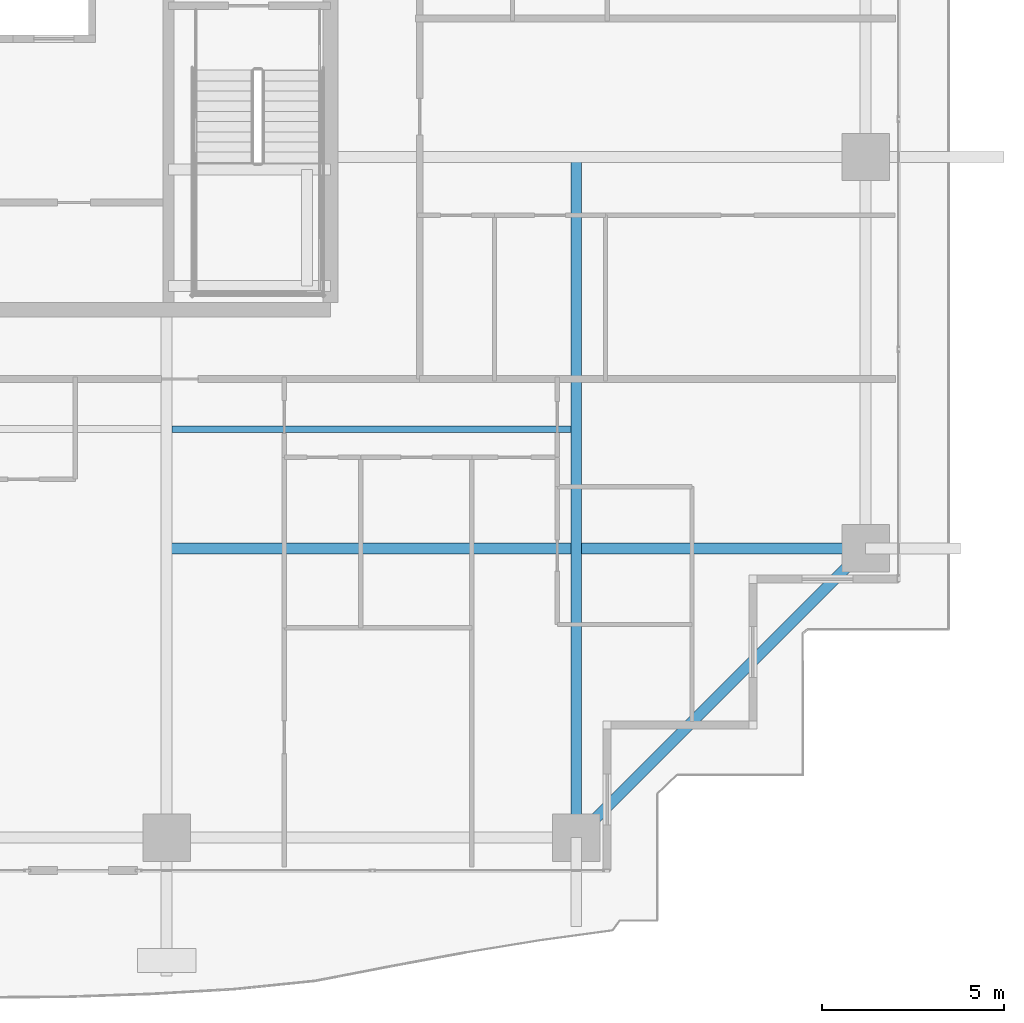
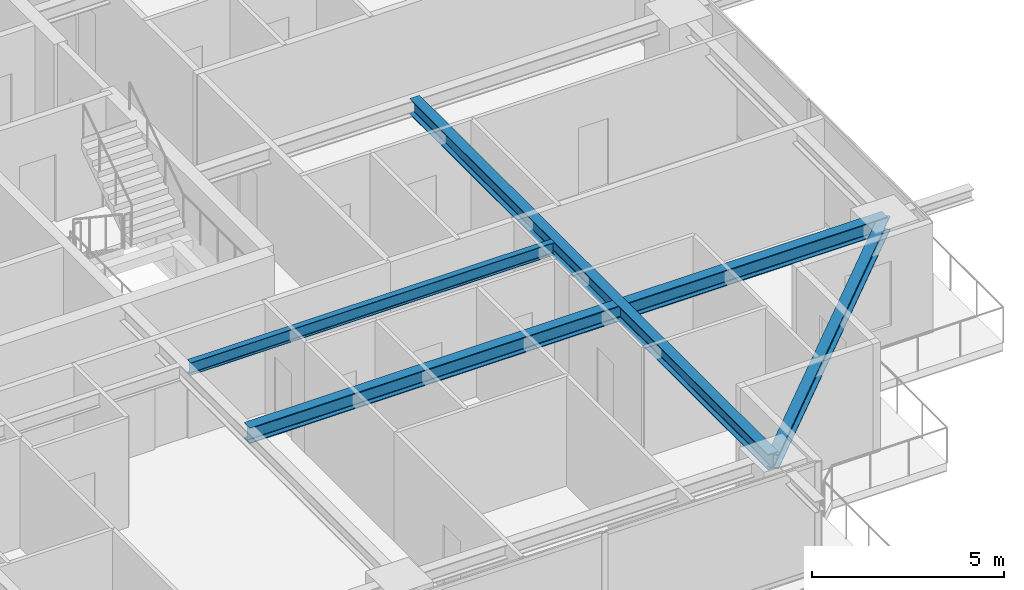
# One storey, part 12 of 34: 4 beams.
"""IFC4 building model written with IfcOpenShell, lengths in metres."""

from ifc_helpers import new_model, si_unit, direction, frame, origin, origin_2d, place, context, subcontext, project, spatial, i_section, extrude, source, transform, mapped, material, material_profile, profile_set, type_object, element, save


model = new_model("IFC4")

# Units and contexts
model_context = context("Model", 3, precision=1e-05, world=origin(), true_north=direction((0.0, 1.0)))
body_context = subcontext(model_context, "Body", "Model", "MODEL_VIEW")
ifc_project = project(units=[si_unit("LENGTHUNIT", "METRE"), si_unit("AREAUNIT", "SQUARE_METRE"), si_unit("VOLUMEUNIT", "CUBIC_METRE"), si_unit("PLANEANGLEUNIT", "RADIAN"), si_unit("MASSUNIT", "GRAM", prefix="KILO")], contexts=[model_context])

# Site, building, storey
site_placement = place(None, origin())
site = spatial("IfcSite", under=ifc_project, at=site_placement, CompositionType="ELEMENT")
building_placement = place(site_placement, origin())
building = spatial("IfcBuilding", under=site, at=building_placement, Name="Serunith Strait Residences", CompositionType="ELEMENT")
storey_placement = place(building_placement, frame((0.0, 0.0, 187.64990234375)))
storey = spatial("IfcBuildingStorey", under=building, at=storey_placement, Name="L47", CompositionType="ELEMENT", Elevation=187.64990234375)

# Beams
ifc_material = material(Name="Steel S355J2", Category="steel")
ifc_material_profile_1 = material_profile(ifc_material, i_section(OverallWidth=0.300048828125, OverallDepth=0.5, WebThickness=0.014404296875, FlangeThickness=0.028076171875, FilletRadius=0.027099609375, at=origin_2d()), Name="HEB 500")
ifc_profile_set_1 = profile_set([ifc_material_profile_1], Name="Steel S355J2")
beam_type_1 = type_object("IfcBeamType", Name="BM-HEB500", PredefinedType="BEAM", material=ifc_profile_set_1)
shared_shape_1 = source(origin(), body_context, "Body", "SweptSolid", [
    extrude(i_section(OverallWidth=0.300048828125, OverallDepth=0.5, WebThickness=0.014404296875, FlangeThickness=0.028076171875, FilletRadius=0.027099609375, at=origin_2d()), origin(), (0.0, 0.0, 1.0), 18.699951171875),
])
beam_1_placement = place(storey_placement, frame((48.14990234375, 21.0, 3.237060546875), z_axis=(0.0, -1.0, 0.0), x_axis=(1.0, 0.0, 0.0)))
element("IfcBeam", 1, at=beam_1_placement, inside=storey, type_object=beam_type_1, Name="L47 Orthogonal Corner Girder TC-S4", PredefinedType="BEAM", context=body_context, shape_type="MappedRepresentation", body=[
    mapped(shared_shape_1, transform((0.0, 0.0, 0.0), scale=1.0)),
])
shared_shape_2 = source(origin(), body_context, "Body", "SweptSolid", [
    extrude(i_section(OverallWidth=0.300048828125, OverallDepth=0.5, WebThickness=0.014404296875, FlangeThickness=0.028076171875, FilletRadius=0.027099609375, at=origin_2d()), origin(), (0.0, 0.0, 1.0), 19.2001953125),
])
beam_2_placement = place(storey_placement, frame((36.89990234375, 10.25, 3.237060546875), z_axis=(1.0, 0.0, 0.0), x_axis=(0.0, 1.0, 0.0)))
element("IfcBeam", 2, at=beam_2_placement, inside=storey, type_object=beam_type_1, Name="L47 Orthogonal Corner Girder TC-E1", PredefinedType="BEAM", context=body_context, shape_type="MappedRepresentation", body=[
    mapped(shared_shape_2, transform((0.0, 0.0, 0.0), scale=1.0)),
])
ifc_material_profile_2 = material_profile(ifc_material, i_section(OverallWidth=0.300048828125, OverallDepth=0.449951171875, WebThickness=0.013916015625, FlangeThickness=0.02587890625, FilletRadius=0.027099609375, at=origin_2d()), Name="HEB 450")
ifc_profile_set_2 = profile_set([ifc_material_profile_2], Name="Steel S355J2")
beam_type_2 = type_object("IfcBeamType", Name="BM-HEB450", PredefinedType="BEAM", material=ifc_profile_set_2)
shared_shape_3 = source(origin(), body_context, "Body", "SweptSolid", [
    extrude(i_section(OverallWidth=0.300048828125, OverallDepth=0.449951171875, WebThickness=0.013916015625, FlangeThickness=0.02587890625, FilletRadius=0.027099609375, at=origin_2d()), origin(), (0.0, 0.0, 1.0), 11.2431640625),
])
beam_3_placement = place(storey_placement, frame((48.14990234375, 2.300048828125, 3.232177734375), z_axis=(0.707117638455, 0.707095923751, 0.0), x_axis=(-0.707095923751, 0.707117638455, 0.0)))
element("IfcBeam", 3, at=beam_3_placement, inside=storey, type_object=beam_type_2, Name="L47 Perimeter Ring Beam 04", PredefinedType="BEAM", context=body_context, shape_type="MappedRepresentation", body=[
    mapped(shared_shape_3, transform((0.0, 0.0, 0.0), scale=1.0)),
])
ifc_material_profile_3 = material_profile(ifc_material, i_section(OverallWidth=0.179931640625, OverallDepth=0.39990234375, WebThickness=0.008544921875, FlangeThickness=0.013427734375, FilletRadius=0.02099609375, at=origin_2d()), Name="IPE 400")
ifc_profile_set_3 = profile_set([ifc_material_profile_3], Name="Steel S355J2")
beam_type_3 = type_object("IfcBeamType", Name="BM-IPE400", PredefinedType="JOIST", material=ifc_profile_set_3)
shared_shape_4 = source(origin(), body_context, "Body", "SweptSolid", [
    extrude(i_section(OverallWidth=0.179931640625, OverallDepth=0.39990234375, WebThickness=0.008544921875, FlangeThickness=0.013427734375, FilletRadius=0.02099609375, at=origin_2d()), origin(), (0.0, 0.0, 1.0), 10.949951171875),
])
beam_4_placement = place(storey_placement, frame((37.050048828125, 13.52490234375, 3.287109375), z_axis=(1.0, 0.0, 0.0), x_axis=(0.0, 1.0, 0.0)))
element("IfcBeam", 4, at=beam_4_placement, inside=storey, type_object=beam_type_3, Name="L47 Composite Floor Joist 03", PredefinedType="JOIST", context=body_context, shape_type="MappedRepresentation", body=[
    mapped(shared_shape_4, transform((0.0, 0.0, 0.0), scale=1.0)),
])

save(model, "model.ifc")
